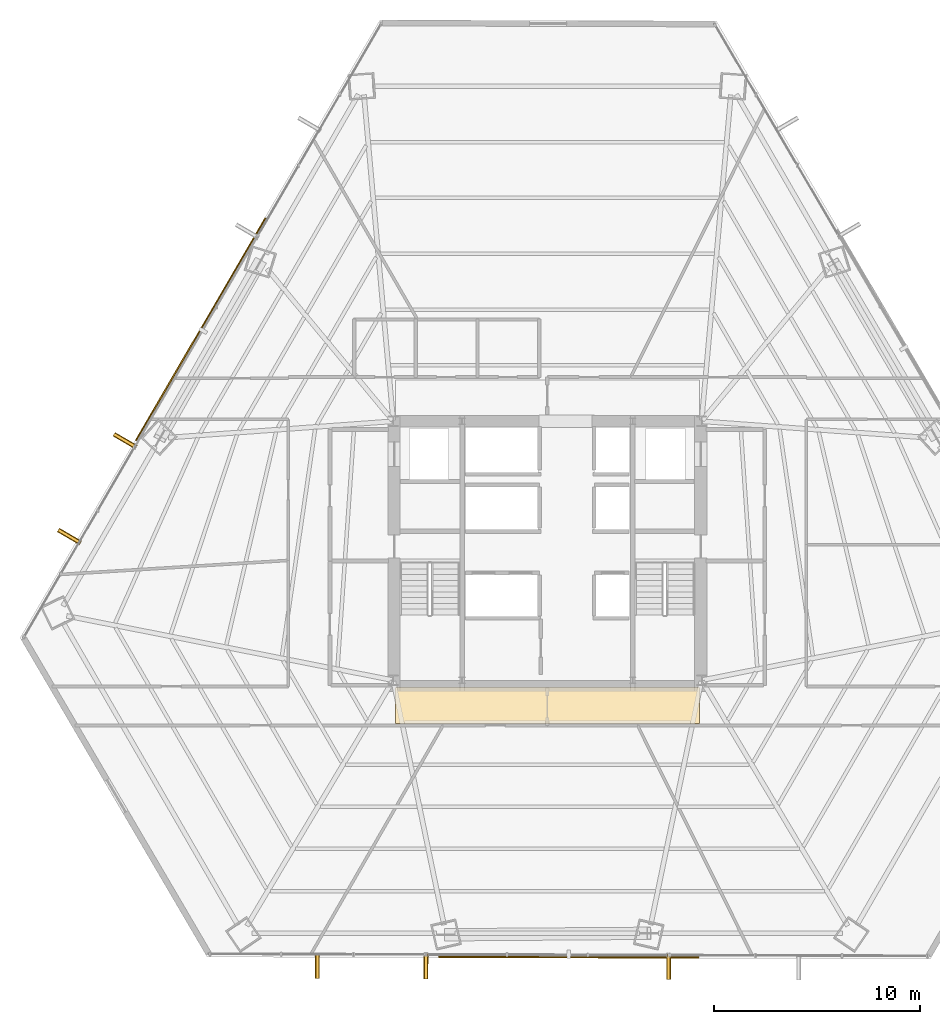
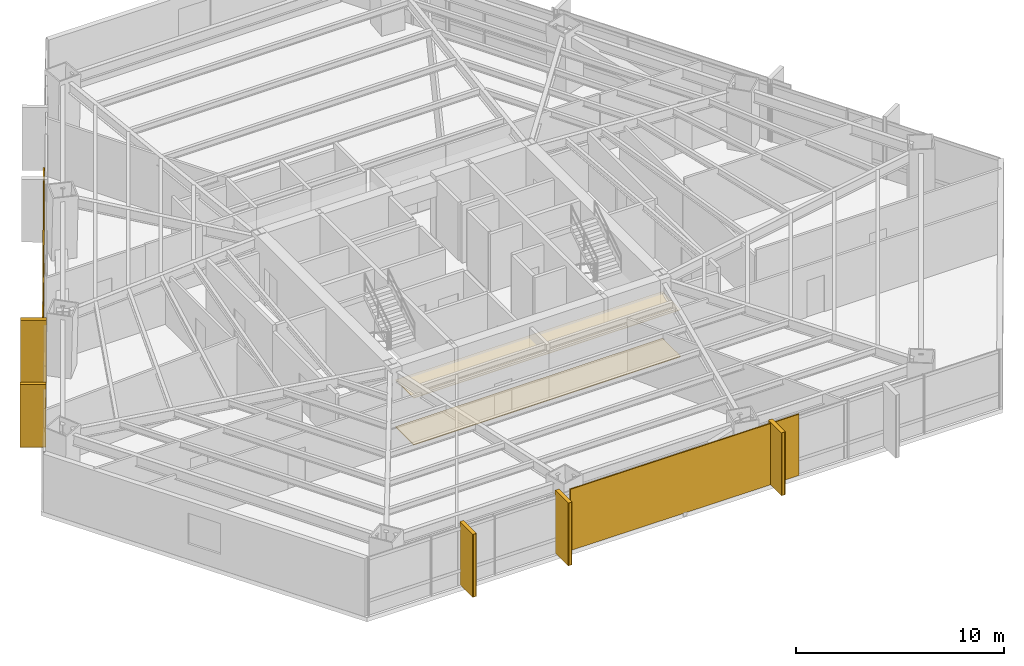
# One storey, part 31 of 33: 7 coverings, 7 shading devices.
"""IFC4 building model written with IfcOpenShell, lengths in metres."""

from ifc_helpers import new_model, si_unit, direction, frame, origin, origin_2d, place, context, subcontext, project, spatial, polyline, rectangle, outline, extrude, source, transform, mapped, material, layer, layer_set, type_object, type_shapes, element, save


model = new_model("IFC4")

# Units and contexts
model_context = context("Model", 3, precision=1e-05, world=origin(), true_north=direction((0.0, 1.0)))
body_context = subcontext(model_context, "Body", "Model", "MODEL_VIEW")
ifc_project = project(units=[si_unit("LENGTHUNIT", "METRE"), si_unit("AREAUNIT", "SQUARE_METRE"), si_unit("VOLUMEUNIT", "CUBIC_METRE"), si_unit("PLANEANGLEUNIT", "RADIAN"), si_unit("MASSUNIT", "GRAM", prefix="KILO")], contexts=[model_context])

# Site, building, storey
site_placement = place(None, origin())
site = spatial("IfcSite", under=ifc_project, at=site_placement, CompositionType="ELEMENT")
building_placement = place(site_placement, origin())
building = spatial("IfcBuilding", under=site, at=building_placement, Name="Caelisora Broadcast Tower", CompositionType="ELEMENT")
storey_placement = place(building_placement, frame((0.0, 0.0, 38.550048828125)))
storey = spatial("IfcBuildingStorey", under=building, at=storey_placement, Name="L09", CompositionType="ELEMENT", Elevation=38.550048828125)

# Coverings
ifc_material_1 = material(Name="Perforated Mineral-Fibre Acoustic Ceiling Tile", Category="gypsum")
ifc_layer_1 = layer(ifc_material_1, 0.034912109375, Name="Perforated Mineral-Fibre Acoustic Ceiling Tile")
ifc_layer_set_1 = layer_set([ifc_layer_1], Name="Perforated Mineral-Fibre Acoustic Ceiling Tile")
covering_type_1 = type_object("IfcCoveringType", Name="CE-1", PredefinedType="CEILING", material=ifc_layer_set_1)
covering_1_placement = place(storey_placement, frame((0.0, 0.0, 2.75)))
element("IfcCovering", 1, at=covering_1_placement, inside=storey, type_object=covering_type_1, Name="L09 acoustic corridor ceiling CE-1 (S)", PredefinedType="CEILING", context=body_context, shape_type="SweptSolid", body=[
    extrude(outline(polyline([(30.60009765625, 15.300048828125), (45.39990234375, 15.300048828125), (45.39990234375, 17.050048828125), (30.60009765625, 17.050048828125), (30.60009765625, 15.300048828125)])), origin(), (0.0, 0.0, 1.0), 0.034912109375),
])
ifc_material_2 = material(Name="Anti-Static Broadcast Raised Access Floor Panel", Category="steel")
ifc_layer_2 = layer(ifc_material_2, 0.044921875, Name="Anti-Static Broadcast Raised Access Floor Panel")
ifc_layer_set_2 = layer_set([ifc_layer_2], Name="Anti-Static Broadcast Raised Access Floor Panel")
covering_type_2 = type_object("IfcCoveringType", Name="FL-1", PredefinedType="FLOORING", material=ifc_layer_set_2)
covering_2_placement = place(storey_placement, origin())
element("IfcCovering", 2, at=covering_2_placement, inside=storey, type_object=covering_type_2, Name="L09 broadcast raised access floor FL-1 (S)", PredefinedType="FLOORING", context=body_context, shape_type="SweptSolid", body=[
    extrude(outline(polyline([(30.60009765625, 15.300048828125), (45.39990234375, 15.300048828125), (45.39990234375, 17.050048828125), (30.60009765625, 17.050048828125), (30.60009765625, 15.300048828125)])), origin(), (0.0, 0.0, 1.0), 0.044921875),
])
ifc_material_3 = material(Name="Kiln-Fired Terracotta Spandrel Rainscreen Cladding", Category="ceramic")
ifc_layer_3 = layer(ifc_material_3, 0.044921875, Name="Kiln-Fired Terracotta Spandrel Rainscreen Cladding")
ifc_layer_set_3 = layer_set([ifc_layer_3], Name="Kiln-Fired Terracotta Spandrel Rainscreen Cladding")
covering_type_3 = type_object("IfcCoveringType", Name="CL-1", PredefinedType="CLADDING", material=ifc_layer_set_3)
shared_shape_1 = source(origin(), body_context, "Body", "SweptSolid", [
    extrude(rectangle(XDim=0.219970703125, YDim=1.25, at=origin_2d()), origin(), (0.0, 0.0, 1.0), 3.68994140625),
])
type_shapes(covering_type_3, [shared_shape_1])
for number, where, z_axis, x_axis, name in (
    (3, (43.897216796875, 3.46044921875, -0.02001953125), (0.0, 0.0, 1.0), (-0.9999961009, 0.002792523174, 0.0), "L09 vertical solar fin cladding #2-2"),
    (4, (32.093994140625, 3.493408203125, -0.02001953125), (0.0, 0.0, 1.0), (-0.9999961009, 0.002792523174, 0.0), "L09 vertical solar fin cladding #2-3"),
    (5, (26.811767578125, 3.50830078125, -0.02001953125), (0.0, 0.0, 1.0), (-0.9999961009, 0.002792523174, 0.0), "L09 vertical solar fin cladding #2-4"),
    (6, (14.744384765625, 24.397216796875, -0.02001953125), (0.0, 0.0, 1.0), (0.503321604797, 0.864099162217, 0.0), "L09 vertical solar fin cladding #3-1"),
    (7, (17.455810546875, 29.052490234375, -0.02001953125), (0.0, 0.0, 1.0), (0.503321604797, 0.864099162217, 0.0), "L09 vertical solar fin cladding #3-2"),
):
    element("IfcCovering", number, at=place(storey_placement, frame(where, z_axis=z_axis, x_axis=x_axis)), inside=storey, type_object=covering_type_3, Name=name, PredefinedType="CLADDING", context=body_context, shape_type="MappedRepresentation", body=[
        mapped(shared_shape_1, transform((0.0, 0.0, 0.0), scale=1.0)),
    ])

# Shading devices
ifc_material_4 = material(Name="Extruded Terracotta Flaring Colonnade Fin", Category="ceramic")
ifc_layer_4 = layer(ifc_material_4, 0.139892578125, Name="Extruded Terracotta Flaring Colonnade Fin")
ifc_layer_set_4 = layer_set([ifc_layer_4], Name="Extruded Terracotta Flaring Colonnade Fin")
shading_device_type_1 = type_object("IfcShadingDeviceType", Name="FN-1", PredefinedType="USERDEFINED", material=ifc_layer_set_4)
shared_shape_2 = source(origin(), body_context, "Body", "SweptSolid", [
    extrude(rectangle(XDim=0.139892578125, YDim=1.25, at=origin_2d()), origin(), (0.0, 0.0, 1.0), 3.669921875),
])
type_shapes(shading_device_type_1, [shared_shape_2])
for number, where, z_axis, x_axis, name in (
    (8, (43.897216796875, 3.46044921875, -0.010009765625), (0.0, 0.0, 1.0), (-0.9999961009, 0.002792523174, 0.0), "L09 vertical terracotta fin #2-2"),
    (9, (32.093994140625, 3.493408203125, -0.010009765625), (0.0, 0.0, 1.0), (-0.9999961009, 0.002792523174, 0.0), "L09 vertical terracotta fin #2-3"),
    (10, (26.811767578125, 3.50830078125, -0.010009765625), (0.0, 0.0, 1.0), (-0.9999961009, 0.002792523174, 0.0), "L09 vertical terracotta fin #2-4"),
    (11, (14.744384765625, 24.397216796875, -0.010009765625), (0.0, 0.0, 1.0), (0.503321604797, 0.864099162217, 0.0), "L09 vertical terracotta fin #3-1"),
    (12, (17.455810546875, 29.052490234375, -0.010009765625), (0.0, 0.0, 1.0), (0.503321604797, 0.864099162217, 0.0), "L09 vertical terracotta fin #3-2"),
):
    element("IfcShadingDevice", number, at=place(storey_placement, frame(where, z_axis=z_axis, x_axis=x_axis)), inside=storey, type_object=shading_device_type_1, Name=name, ObjectType="FIN", PredefinedType="USERDEFINED", context=body_context, shape_type="MappedRepresentation", body=[
        mapped(shared_shape_2, transform((0.0, 0.0, 0.0), scale=1.0)),
    ])
ifc_material_5 = material(Name="Perforated Glazed Terracotta Baguette Solar Screen", Category="ceramic")
ifc_layer_5 = layer(ifc_material_5, 0.06494140625, Name="Perforated Glazed Terracotta Baguette Solar Screen")
ifc_layer_set_5 = layer_set([ifc_layer_5], Name="Perforated Glazed Terracotta Baguette Solar Screen")
shading_device_type_2 = type_object("IfcShadingDeviceType", Name="SS-1", PredefinedType="USERDEFINED", material=ifc_layer_set_5)
shared_shape_3 = source(origin(), body_context, "Body", "SweptSolid", [
    extrude(rectangle(XDim=12.52392578125, YDim=0.06494140625, at=origin_2d()), origin(), (0.0, 0.0, 1.0), 3.590087890625),
])
shading_device_1_placement = place(storey_placement, frame((21.132080078125, 34.470458984375, 0.0), z_axis=(0.0, 0.0, 1.0), x_axis=(-0.503321604797, -0.864099162217, 0.0)))
element("IfcShadingDevice", 13, at=shading_device_1_placement, inside=storey, type_object=shading_device_type_2, Name="L09 perforated terracotta solar screen #1", ObjectType="SOLAR SCREEN", PredefinedType="USERDEFINED", context=body_context, shape_type="MappedRepresentation", body=[
    mapped(shared_shape_3, transform((0.0, 0.0, 0.0), scale=1.0)),
])
shared_shape_4 = source(origin(), body_context, "Body", "SweptSolid", [
    extrude(rectangle(XDim=12.6669921875, YDim=0.06494140625, at=origin_2d()), origin(), (0.0, 0.0, 1.0), 3.590087890625),
])
type_shapes(shading_device_type_2, [shared_shape_3, shared_shape_4])
shading_device_2_placement = place(storey_placement, frame((39.0380859375, 3.924072265625, 0.0), z_axis=(0.0, 0.0, 1.0), x_axis=(0.9999961009, -0.002792523174, 0.0)))
element("IfcShadingDevice", 14, at=shading_device_2_placement, inside=storey, type_object=shading_device_type_2, Name="L09 perforated terracotta solar screen #2", ObjectType="SOLAR SCREEN", PredefinedType="USERDEFINED", context=body_context, shape_type="MappedRepresentation", body=[
    mapped(shared_shape_4, transform((0.0, 0.0, 0.0), scale=1.0)),
])

save(model, "model.ifc")
